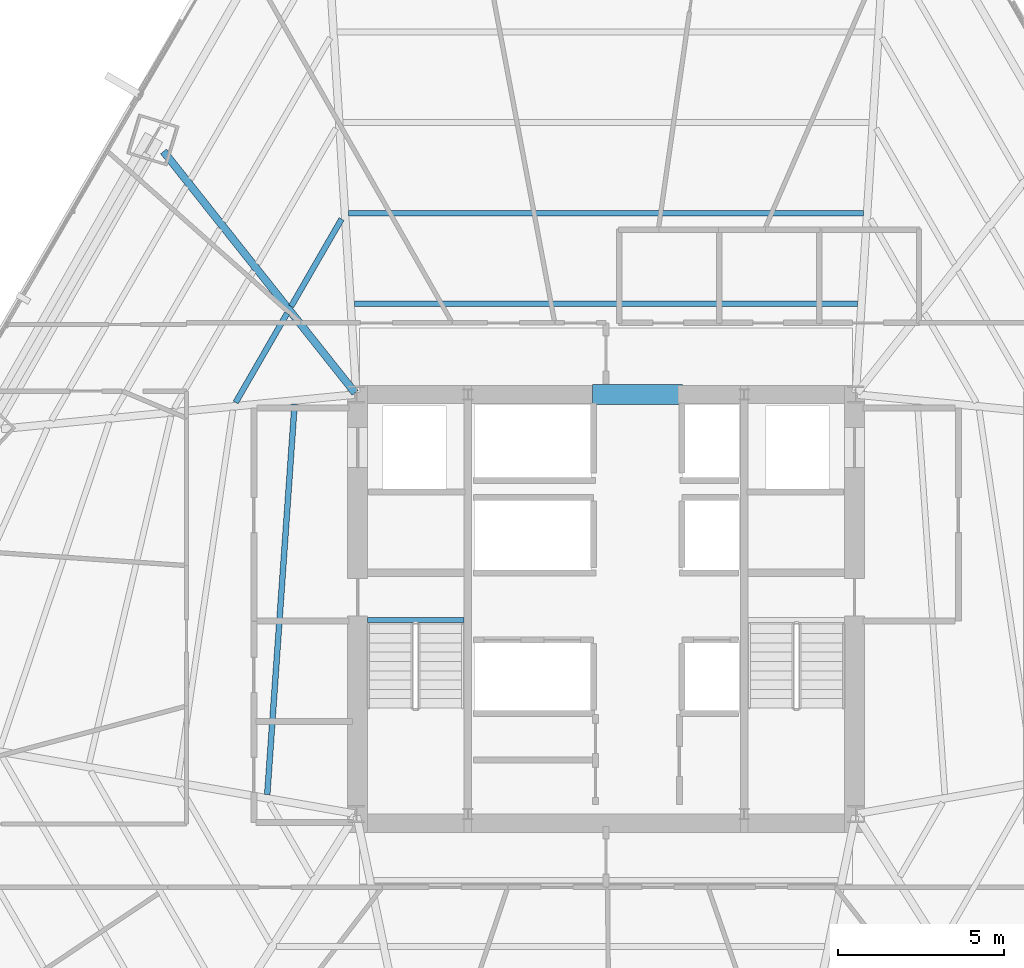
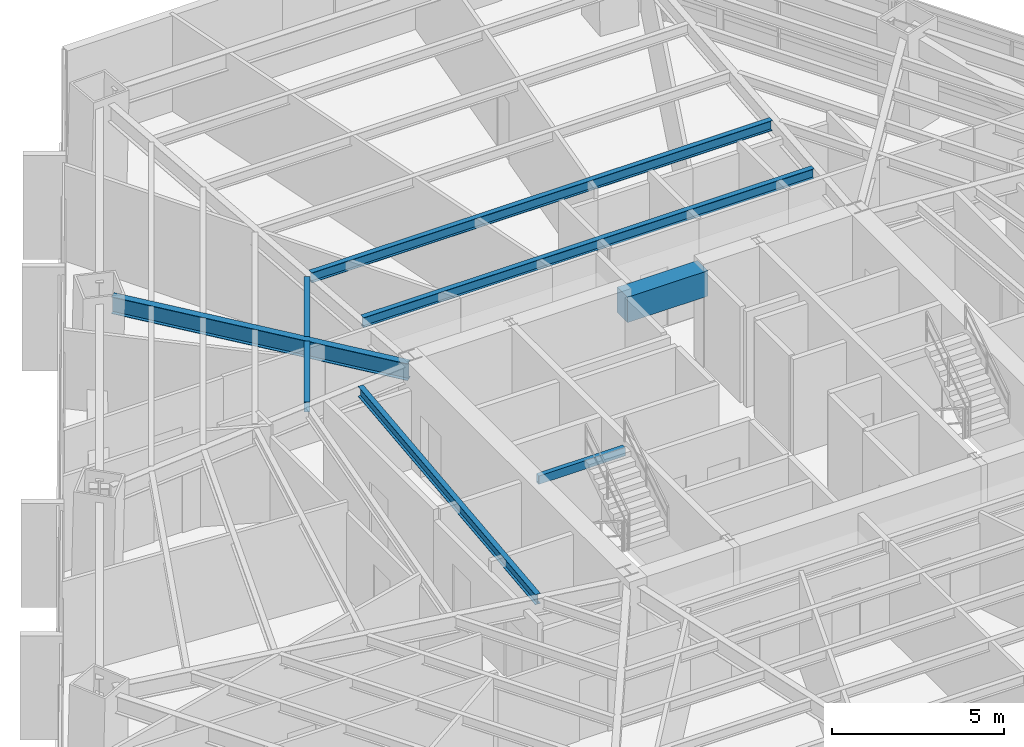
# One storey, part 14 of 34: 8 beams.
"""IFC4 building model written with IfcOpenShell, lengths in metres."""

import ifcopenshell
import ifcopenshell.guid

model = None  # the IFC model being written
_history = None  # IfcOwnerHistory: only IFC2X3 demands one
_inside = {}  # id of a spatial element -> (the spatial element, [elements in it])
_under = {}  # id of a project, library or spatial element -> (it, [spatial elements below it])
_declared = {}  # id of a project -> (the project, [libraries it declares])
_typed = {}  # id of a type object -> (the type object, [elements of that type])
_made_of = {}  # id of a material, layer set ... -> (it, [elements and type objects made of it])


def new_model(schema):
    """Start an empty IFC model of exactly this schema.

    Asked for "IFC4X3", IfcOpenShell would pick the latest addendum, in which some entities
    have other attributes; the version numbers below select the first issue.
    IFC2X3 requires an IfcOwnerHistory on every rooted entity: one is made here for all.
    """
    global model, _history
    if schema == "IFC4X3":
        model = ifcopenshell.file(schema_version=(4, 3, 0, 0))
    else:
        model = ifcopenshell.file(schema=schema)
    _inside.clear()
    _under.clear()
    _declared.clear()
    _typed.clear()
    _made_of.clear()
    _history = None
    if model.schema == "IFC2X3":
        org = make("IfcOrganization", Name="unknown")
        user = make(
            "IfcPersonAndOrganization",
            ThePerson=make("IfcPerson", FamilyName="unknown"),
            TheOrganization=org,
        )
        app = make(
            "IfcApplication",
            ApplicationDeveloper=org,
            Version="unknown",
            ApplicationFullName="unknown",
            ApplicationIdentifier="unknown",
        )
        _history = make(
            "IfcOwnerHistory",
            OwningUser=user,
            OwningApplication=app,
            ChangeAction="ADDED",
            CreationDate=0,
        )
    return model


def make(cls, **values):
    """One entity of the class cls with the attributes given. An attribute that is None is left unset."""
    return model.create_entity(
        cls, **{name: value for name, value in values.items() if value is not None}
    )


def rooted(cls, **values):
    """An entity with a GlobalId (a new one), such as an element, a storey or a relation."""
    return make(cls, GlobalId=ifcopenshell.guid.new(), OwnerHistory=_history, **values)


def si_unit(unit_type, name, prefix=None):
    """IfcSIUnit, for example si_unit("LENGTHUNIT", "METRE", prefix="MILLI")."""
    return make("IfcSIUnit", UnitType=unit_type, Prefix=prefix, Name=name)


def assignment(units):
    """IfcUnitAssignment: the units of a project."""
    return None if units is None else make("IfcUnitAssignment", Units=units)


def point(xyz):
    """IfcCartesianPoint."""
    return None if xyz is None else make("IfcCartesianPoint", Coordinates=xyz)


def direction(xyz):
    """IfcDirection."""
    return None if xyz is None else make("IfcDirection", DirectionRatios=xyz)


def frame(location, z_axis=None, x_axis=None):
    """IfcAxis2Placement3D, a coordinate frame: its origin and axes. An axis left out is left unset."""
    return make(
        "IfcAxis2Placement3D",
        Location=point(location),
        Axis=direction(z_axis),
        RefDirection=direction(x_axis),
    )


def frame_2d(location, x_axis=None):
    """IfcAxis2Placement2D, a coordinate frame in the plane: its origin and x axis."""
    return make(
        "IfcAxis2Placement2D", Location=point(location), RefDirection=direction(x_axis)
    )


def origin():
    """The frame at (0, 0, 0) with its axes left unset."""
    return frame((0.0, 0.0, 0.0))


def origin_2d():
    """The frame at (0, 0) in the plane with its x axis left unset."""
    return frame_2d((0.0, 0.0))


def place(relative_to, where):
    """IfcLocalPlacement: puts the frame where relative to a parent placement (None: the world)."""
    return make(
        "IfcLocalPlacement", PlacementRelTo=relative_to, RelativePlacement=where
    )


def context(
    kind, dimensions, precision=None, world=None, true_north=None, identifier=None
):
    """IfcGeometricRepresentationContext, for example the 3D "Model" context."""
    return make(
        "IfcGeometricRepresentationContext",
        ContextIdentifier=identifier,
        ContextType=kind,
        CoordinateSpaceDimension=dimensions,
        Precision=precision,
        WorldCoordinateSystem=world,
        TrueNorth=true_north,
    )


def subcontext(parent, identifier, kind, view, scale=None):
    """IfcGeometricRepresentationSubContext, for example "Body" below "Model"."""
    return make(
        "IfcGeometricRepresentationSubContext",
        ContextIdentifier=identifier,
        ContextType=kind,
        ParentContext=parent,
        TargetScale=scale,
        TargetView=view,
    )


def project(units=None, contexts=None):
    """IfcProject with its units and contexts."""
    return rooted(
        "IfcProject",
        Name="project",
        RepresentationContexts=contexts,
        UnitsInContext=assignment(units),
    )


def spatial(cls, under=None, at=None, **own):
    """A site, building, storey or space (cls), placed at a placement, below another one or the project."""
    s = rooted(cls, ObjectPlacement=at, **own)
    if under is not None:
        _under.setdefault(under.id(), (under, []))[1].append(s)
    return s


def profile(cls, at=None, kind="AREA", **sizes):
    """A parametric profile (cls). Its sizes go by their IFC names, for example OverallWidth=200.0."""
    return make(cls, ProfileType=kind, Position=at, **sizes)


def rectangle(**sizes):
    """IfcRectangleProfileDef."""
    return profile("IfcRectangleProfileDef", **sizes)


def hollow_rectangle(**sizes):
    """IfcRectangleHollowProfileDef."""
    return profile("IfcRectangleHollowProfileDef", **sizes)


def i_section(**sizes):
    """IfcIShapeProfileDef."""
    return profile("IfcIShapeProfileDef", **sizes)


def extrude(swept, where, along, depth):
    """IfcExtrudedAreaSolid: the profile swept, set in the frame where, extruded along a direction by depth."""
    return make(
        "IfcExtrudedAreaSolid",
        SweptArea=swept,
        Position=where,
        ExtrudedDirection=direction(along),
        Depth=depth,
    )


def shape(context_of_items, identifier, shape_type, items):
    """IfcShapeRepresentation: the items that make up one representation, for example the "Body"."""
    return make(
        "IfcShapeRepresentation",
        ContextOfItems=context_of_items,
        RepresentationIdentifier=identifier,
        RepresentationType=shape_type,
        Items=items,
    )


def source(mapping_origin, context_of_items, identifier, shape_type, items):
    """IfcRepresentationMap: a shape defined once, which mapped items show again and again."""
    return make(
        "IfcRepresentationMap",
        MappingOrigin=mapping_origin,
        MappedRepresentation=shape(context_of_items, identifier, shape_type, items),
    )


def transform(
    local_origin,
    x_axis=None,
    y_axis=None,
    z_axis=None,
    scale=None,
    scale2=None,
    scale3=None,
    uniform=True,
):
    """IfcCartesianTransformationOperator3D, or its non-uniform kind. x_axis, y_axis, z_axis: its Axis1, 2, 3."""
    if uniform:
        return make(
            "IfcCartesianTransformationOperator3D",
            Axis1=direction(x_axis),
            Axis2=direction(y_axis),
            LocalOrigin=point(local_origin),
            Scale=scale,
            Axis3=direction(z_axis),
        )
    return make(
        "IfcCartesianTransformationOperator3DnonUniform",
        Axis1=direction(x_axis),
        Axis2=direction(y_axis),
        LocalOrigin=point(local_origin),
        Scale=scale,
        Axis3=direction(z_axis),
        Scale2=scale2,
        Scale3=scale3,
    )


def mapped(mapping_source, mapping_target):
    """IfcMappedItem: shows the shape of a source again, moved by a transform."""
    return make(
        "IfcMappedItem", MappingSource=mapping_source, MappingTarget=mapping_target
    )


def material(Name=None, Category=None):
    """IfcMaterial."""
    return make("IfcMaterial", Name=Name, Category=Category)


def material_profile(
    of_material, cross_section, Name=None, Category=None, Priority=None
):
    """IfcMaterialProfile: a cross section and its material."""
    return make(
        "IfcMaterialProfile",
        Name=Name,
        Material=of_material,
        Profile=cross_section,
        Priority=Priority,
        Category=Category,
    )


def profile_set(profiles, Name=None, composite=None):
    """IfcMaterialProfileSet."""
    return make(
        "IfcMaterialProfileSet",
        Name=Name,
        MaterialProfiles=profiles,
        CompositeProfile=composite,
    )


def made_of(thing, what):
    """Note that an element or type object is made of a material, layer set ...; save() writes the relation."""
    if what is not None:
        _made_of.setdefault(what.id(), (what, []))[1].append(thing)
    return thing


def type_object(cls, material=None, **own):
    """A type object (cls), such as IfcWallType, which elements share."""
    return made_of(rooted(cls, **own), material)


def type_shapes(of_type, sources):
    """Give a type object the sources (RepresentationMaps) that its elements show as mapped items."""
    of_type.RepresentationMaps = sources


def element(
    cls,
    number,
    at=None,
    inside=None,
    cuts=None,
    type_object=None,
    material=None,
    context=None,
    identifier="Body",
    shape_type=None,
    held_by="IfcProductDefinitionShape",
    body=None,
    shapes=None,
    **own,
):
    """One element of the class cls, such as IfcWall. Its Tag is "e" and its number.

    at: its placement. inside: the storey or other place that contains it. cuts: it is an
    opening in that element (IfcRelVoidsElement). A single representation is given by context,
    identifier, shape_type and body (its items); several are given by shapes. held_by: the class
    of the entity that holds the representations. save() writes the other relations.
    """
    e = rooted(cls, Tag="e%d" % number, ObjectPlacement=at, **own)
    if body is not None:
        shapes = [shape(context, identifier, shape_type, body)]
    if shapes is not None:
        e.Representation = make(held_by, Representations=shapes)
    if inside is not None:
        _inside.setdefault(inside.id(), (inside, []))[1].append(e)
    if cuts is not None:
        rooted(
            "IfcRelVoidsElement", RelatingBuildingElement=cuts, RelatedOpeningElement=e
        )
    if type_object is not None:
        _typed.setdefault(type_object.id(), (type_object, []))[1].append(e)
    return made_of(e, material)


def aggregate(whole, parts):
    """IfcRelAggregates: a whole, such as a stair, and the parts it consists of."""
    return rooted("IfcRelAggregates", RelatingObject=whole, RelatedObjects=parts)


def save(model, path):
    """Write the relations noted so far, then the file.

    IfcRelAggregates (storeys below a building ...), IfcRelContainedInSpatialStructure (elements
    in a storey), IfcRelDefinesByType, IfcRelAssociatesMaterial and IfcRelDeclares: one each for
    every whole, place, type object, material and project.
    """
    for whole, parts in _under.values():
        aggregate(whole, parts)
    for where, things in _inside.values():
        rooted(
            "IfcRelContainedInSpatialStructure",
            RelatedElements=things,
            RelatingStructure=where,
        )
    for kind, things in _typed.values():
        rooted("IfcRelDefinesByType", RelatedObjects=things, RelatingType=kind)
    for what, things in _made_of.values():
        rooted("IfcRelAssociatesMaterial", RelatedObjects=things, RelatingMaterial=what)
    for by, libraries in _declared.values():
        rooted("IfcRelDeclares", RelatingContext=by, RelatedDefinitions=libraries)
    model.write(path)


model = new_model("IFC4")

# Units and contexts
model_context = context("Model", 3, precision=1e-05, world=origin(), true_north=direction((0.0, 1.0)))
body_context = subcontext(model_context, "Body", "Model", "MODEL_VIEW")
ifc_project = project(units=[si_unit("LENGTHUNIT", "METRE"), si_unit("AREAUNIT", "SQUARE_METRE"), si_unit("VOLUMEUNIT", "CUBIC_METRE"), si_unit("PLANEANGLEUNIT", "RADIAN"), si_unit("MASSUNIT", "GRAM", prefix="KILO")], contexts=[model_context])

# Site, building, storey
site_placement = place(None, origin())
site = spatial("IfcSite", under=ifc_project, at=site_placement, CompositionType="ELEMENT")
building_placement = place(site_placement, origin())
building = spatial("IfcBuilding", under=site, at=building_placement, Name="Caelisora Broadcast Tower", CompositionType="ELEMENT")
storey_placement = place(building_placement, frame((0.0, 0.0, 56.800048828125)))
storey = spatial("IfcBuildingStorey", under=building, at=storey_placement, Name="L14", CompositionType="ELEMENT", Elevation=56.800048828125)

# Beams
ifc_material_1 = material(Name="Steel Grade 350 (AS/NZS 1163 C350L0)", Category="steel")
ifc_material_profile_1 = material_profile(ifc_material_1, hollow_rectangle(XDim=0.14990234375, YDim=0.300048828125, WallThickness=0.010009765625, at=origin_2d()), Name="Steel Grade 350 (AS/NZS 1163 C350L0)")
ifc_profile_set_1 = profile_set([ifc_material_profile_1], Name="Steel Grade 350 (AS/NZS 1163 C350L0)")
beam_type_1 = type_object("IfcBeamType", Name="SB05", PredefinedType="JOIST", material=ifc_profile_set_1)
shared_shape_1 = source(origin(), body_context, "Body", "SweptSolid", [
    extrude(hollow_rectangle(XDim=0.14990234375, YDim=0.300048828125, WallThickness=0.010009765625, at=origin_2d()), origin(), (0.0, 0.0, 1.0), 2.89990234375),
])
type_shapes(beam_type_1, [shared_shape_1])
beam_1_placement = place(storey_placement, frame((30.840087890625, 23.219970703125, 3.25), z_axis=(1.0, 0.0, 0.0), x_axis=(0.0, 1.0, 0.0)))
element("IfcBeam", 1, at=beam_1_placement, inside=storey, type_object=beam_type_1, Name="L14 beam SB05", PredefinedType="JOIST", context=body_context, shape_type="MappedRepresentation", body=[
    mapped(shared_shape_1, transform((0.0, 0.0, 0.0), scale=1.0)),
])
ifc_material_2 = material(Name="Concrete 50 MPa (AS 3600 S50)", Category="concrete")
ifc_material_profile_2 = material_profile(ifc_material_2, rectangle(XDim=0.60009765625, YDim=0.89990234375, at=origin_2d()), Name="Concrete 50 MPa (AS 3600 S50)")
ifc_profile_set_2 = profile_set([ifc_material_profile_2], Name="Concrete 50 MPa (AS 3600 S50)")
beam_type_2 = type_object("IfcBeamType", Name="CB02", PredefinedType="LINTEL", material=ifc_profile_set_2)
shared_shape_2 = source(origin(), body_context, "Body", "SweptSolid", [
    extrude(rectangle(XDim=0.60009765625, YDim=0.89990234375, at=origin_2d()), origin(), (0.0, 0.0, 1.0), 2.699951171875),
])
type_shapes(beam_type_2, [shared_shape_2])
beam_2_placement = place(storey_placement, frame((37.60009765625, 30.0, 2.949951171875), z_axis=(1.0, 0.0, 0.0), x_axis=(0.0, 1.0, 0.0)))
element("IfcBeam", 2, at=beam_2_placement, inside=storey, type_object=beam_type_2, Name="L14 beam CB02", PredefinedType="LINTEL", context=body_context, shape_type="MappedRepresentation", body=[
    mapped(shared_shape_2, transform((0.0, 0.0, 0.0), scale=1.0)),
])
ifc_material_3 = material(Name="Steel Grade 350 (AS/NZS 3679.1)", Category="steel")
ifc_material_profile_3 = material_profile(ifc_material_3, i_section(OverallWidth=0.22802734375, OverallDepth=0.602294921875, WebThickness=0.010498046875, FlangeThickness=0.014892578125, at=origin_2d()), Name="Steel Grade 350 (AS/NZS 3679.1)")
ifc_profile_set_3 = profile_set([ifc_material_profile_3], Name="Steel Grade 350 (AS/NZS 3679.1)")
beam_type_3 = type_object("IfcBeamType", Name="PG04", PredefinedType="BEAM", material=ifc_profile_set_3)
shared_shape_3 = source(origin(), body_context, "Body", "SweptSolid", [
    extrude(i_section(OverallWidth=0.22802734375, OverallDepth=0.602294921875, WebThickness=0.010498046875, FlangeThickness=0.014892578125, at=origin_2d()), origin(), (0.0, 0.0, 1.0), 9.255615234375),
])
type_shapes(beam_type_3, [shared_shape_3])
beam_3_placement = place(storey_placement, frame((30.462646484375, 30.047119140625, 3.098876953125), z_axis=(-0.621592351282, 0.783340889286, 0.0), x_axis=(-0.783340889286, -0.621592351282, 0.0)))
element("IfcBeam", 3, at=beam_3_placement, inside=storey, type_object=beam_type_3, Name="L14 beam PG04", PredefinedType="BEAM", context=body_context, shape_type="MappedRepresentation", body=[
    mapped(shared_shape_3, transform((0.0, 0.0, 0.0), scale=1.0)),
])
ifc_material_profile_4 = material_profile(ifc_material_3, i_section(OverallWidth=0.172119140625, OverallDepth=0.358642578125, WebThickness=0.008056640625, FlangeThickness=0.012939453125, at=origin_2d()), Name="Steel Grade 350 (AS/NZS 3679.1)")
ifc_profile_set_4 = profile_set([ifc_material_profile_4], Name="Steel Grade 350 (AS/NZS 3679.1)")
beam_type_4 = type_object("IfcBeamType", Name="SB02", PredefinedType="JOIST", material=ifc_profile_set_4)
shared_shape_4 = source(origin(), body_context, "Body", "SweptSolid", [
    extrude(i_section(OverallWidth=0.172119140625, OverallDepth=0.358642578125, WebThickness=0.008056640625, FlangeThickness=0.012939453125, at=origin_2d()), origin(), (0.0, 0.0, 1.0), 15.11962890625),
])
beam_4_placement = place(storey_placement, frame((45.559814453125, 32.7216796875, 3.220703125), z_axis=(-1.0, 0.0, 0.0), x_axis=(0.0, -1.0, 0.0)))
element("IfcBeam", 4, at=beam_4_placement, inside=storey, type_object=beam_type_4, Name="L14 beam SB02", PredefinedType="JOIST", context=body_context, shape_type="MappedRepresentation", body=[
    mapped(shared_shape_4, transform((0.0, 0.0, 0.0), scale=1.0)),
])
shared_shape_5 = source(origin(), body_context, "Body", "SweptSolid", [
    extrude(i_section(OverallWidth=0.172119140625, OverallDepth=0.358642578125, WebThickness=0.008056640625, FlangeThickness=0.012939453125, at=origin_2d()), origin(), (0.0, 0.0, 1.0), 15.46240234375),
])
beam_5_placement = place(storey_placement, frame((45.731201171875, 35.443359375, 3.220703125), z_axis=(-1.0, 0.0, 0.0), x_axis=(0.0, -1.0, 0.0)))
element("IfcBeam", 5, at=beam_5_placement, inside=storey, type_object=beam_type_4, Name="L14 beam SB02", PredefinedType="JOIST", context=body_context, shape_type="MappedRepresentation", body=[
    mapped(shared_shape_5, transform((0.0, 0.0, 0.0), scale=1.0)),
])
shared_shape_6 = source(origin(), body_context, "Body", "SweptSolid", [
    extrude(i_section(OverallWidth=0.172119140625, OverallDepth=0.358642578125, WebThickness=0.008056640625, FlangeThickness=0.012939453125, at=origin_2d()), origin(), (0.0, 0.0, 1.0), 3.02734375),
])
beam_6_placement = place(storey_placement, frame((30.05615234375, 35.267578125, 3.220703125), z_axis=(-0.499990048099, -0.866031149441, 0.0), x_axis=(0.866031149441, -0.499990048099, 0.0)))
element("IfcBeam", 6, at=beam_6_placement, inside=storey, type_object=beam_type_4, Name="L14 beam SB02", PredefinedType="JOIST", context=body_context, shape_type="MappedRepresentation", body=[
    mapped(shared_shape_6, transform((0.0, 0.0, 0.0), scale=1.0)),
])
shared_shape_7 = source(origin(), body_context, "Body", "SweptSolid", [
    extrude(i_section(OverallWidth=0.172119140625, OverallDepth=0.358642578125, WebThickness=0.008056640625, FlangeThickness=0.012939453125, at=origin_2d()), origin(), (0.0, 0.0, 1.0), 3.093505859375),
])
beam_7_placement = place(storey_placement, frame((28.423095703125, 32.438720703125, 3.220703125), z_axis=(-0.500043533946, -0.86600026799, 0.0), x_axis=(0.86600026799, -0.500043533946, 0.0)))
element("IfcBeam", 7, at=beam_7_placement, inside=storey, type_object=beam_type_4, Name="L14 beam SB02", PredefinedType="JOIST", context=body_context, shape_type="MappedRepresentation", body=[
    mapped(shared_shape_7, transform((0.0, 0.0, 0.0), scale=1.0)),
])
shared_shape_8 = source(origin(), body_context, "Body", "SweptSolid", [
    extrude(i_section(OverallWidth=0.172119140625, OverallDepth=0.358642578125, WebThickness=0.008056640625, FlangeThickness=0.012939453125, at=origin_2d()), origin(), (0.0, 0.0, 1.0), 11.755859375),
])
type_shapes(beam_type_4, [shared_shape_4, shared_shape_5, shared_shape_6, shared_shape_7, shared_shape_8])
beam_8_placement = place(storey_placement, frame((28.64599609375, 29.708251953125, 3.220703125), z_axis=(-0.069903939848, -0.997553727472, 0.0), x_axis=(0.997553727472, -0.069903939848, 0.0)))
element("IfcBeam", 8, at=beam_8_placement, inside=storey, type_object=beam_type_4, Name="L14 beam SB02", PredefinedType="JOIST", context=body_context, shape_type="MappedRepresentation", body=[
    mapped(shared_shape_8, transform((0.0, 0.0, 0.0), scale=1.0)),
])

save(model, "model.ifc")
